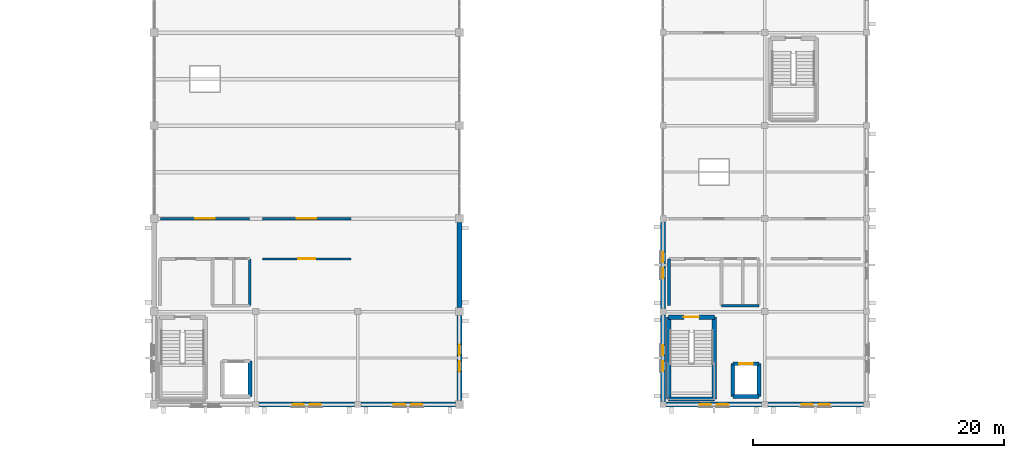
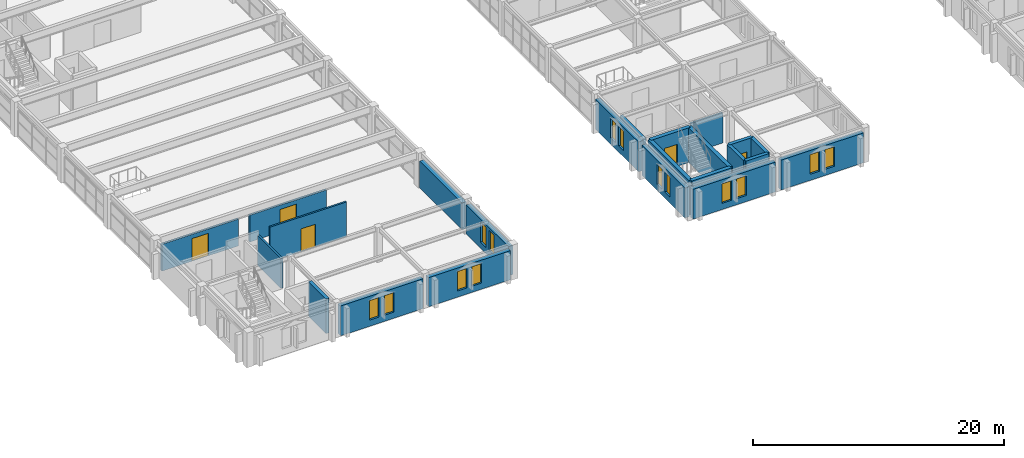
# One storey, part 81 of 93: 23 walls, 14 windows, 5 doors, 19 openings.
"""IFC4 building model written with IfcOpenShell, lengths in metres."""

from ifc_helpers import new_model, si_unit, direction, frame, frame_2d, origin, place, context, subcontext, project, spatial, rectangle, extrude, material, layer, layer_set, type_object, element, fill, save


model = new_model("IFC4")

# Units and contexts
model_context = context("Model", 3, precision=1e-05, world=origin(), true_north=direction((0.0, 1.0)))
body_context = subcontext(model_context, "Body", "Model", "MODEL_VIEW")
ifc_project = project(units=[si_unit("LENGTHUNIT", "METRE"), si_unit("AREAUNIT", "SQUARE_METRE"), si_unit("VOLUMEUNIT", "CUBIC_METRE"), si_unit("PLANEANGLEUNIT", "RADIAN"), si_unit("MASSUNIT", "GRAM", prefix="KILO")], contexts=[model_context])

# Site, building, storey
site_placement = place(None, origin())
site = spatial("IfcSite", under=ifc_project, at=site_placement, CompositionType="ELEMENT")
building_placement = place(site_placement, origin())
building = spatial("IfcBuilding", under=site, at=building_placement, Name="Cimatlan Art Gallery", CompositionType="ELEMENT")
storey_placement = place(building_placement, frame((0.0, 0.0, 13.800048828125)))
storey = spatial("IfcBuildingStorey", under=building, at=storey_placement, Name="L03", CompositionType="ELEMENT", Elevation=13.800048828125)

# Walls
ifc_material_1 = material(Name="Concrete C40/50", Category="concrete")
ifc_layer_1 = layer(ifc_material_1, 0.31005859375)
ifc_layer_set_1 = layer_set([ifc_layer_1], Name="Concrete C40/50")
wall_type_1 = type_object("IfcWallType", Name="W-CORE-310", PredefinedType="SHEAR", material=ifc_layer_set_1)
wall_1_placement = place(storey_placement, frame((82.550048828125, 24.550048828125, 0.0), z_axis=(0.0, 0.0, 1.0), x_axis=(0.0, 1.0, 0.0)))
element("IfcWall", 1, at=wall_1_placement, inside=storey, type_object=wall_type_1, Name="WL-SHFT-C3-L03-LE", PredefinedType="SHEAR", context=body_context, shape_type="SweptSolid", body=[
    extrude(rectangle(XDim=2.800048828125, YDim=0.31005859375, at=frame_2d((1.39990234375, 0.0))), origin(), (0.0, 0.0, 1.0), 3.375),
])
wall_2_placement = place(storey_placement, frame((120.949951171875, 24.550048828125, 0.0), z_axis=(0.0, 0.0, 1.0), x_axis=(0.0, 1.0, 0.0)))
element("IfcWall", 2, at=wall_2_placement, inside=storey, type_object=wall_type_1, Name="WL-SHFT-C4-L03-LW", PredefinedType="SHEAR", context=body_context, shape_type="SweptSolid", body=[
    extrude(rectangle(XDim=2.599853515625, YDim=0.31005859375, at=frame_2d((1.2998046875, 0.0))), origin(), (0.0, 0.0, 1.0), 3.375),
])
wall_3_placement = place(storey_placement, frame((120.949951171875, 24.550048828125, 0.0), z_axis=(0.0, 0.0, 1.0), x_axis=(1.0, 0.0, 0.0)))
element("IfcWall", 3, at=wall_3_placement, inside=storey, type_object=wall_type_1, Name="WL-SHFT-C4-L03-LS", PredefinedType="SHEAR", context=body_context, shape_type="SweptSolid", body=[
    extrude(rectangle(XDim=2.10009765625, YDim=0.31005859375, at=frame_2d((1.050048828125, 0.0))), origin(), (0.0, 0.0, 1.0), 3.375),
])
wall_4_placement = place(storey_placement, frame((123.050048828125, 24.550048828125, 0.0), z_axis=(0.0, 0.0, 1.0), x_axis=(0.0, 1.0, 0.0)))
element("IfcWall", 4, at=wall_4_placement, inside=storey, type_object=wall_type_1, Name="WL-SHFT-C4-L03-LE", PredefinedType="SHEAR", context=body_context, shape_type="SweptSolid", body=[
    extrude(rectangle(XDim=2.599853515625, YDim=0.31005859375, at=frame_2d((1.2998046875, 0.0))), origin(), (0.0, 0.0, 1.0), 3.375),
])

# Wall, opening, door
wall_5_placement = place(storey_placement, frame((120.949951171875, 27.14990234375, 0.0), z_axis=(0.0, 0.0, 1.0), x_axis=(1.0, 0.0, 0.0)))
wall_5 = element("IfcWall", 5, at=wall_5_placement, inside=storey, type_object=wall_type_1, Name="WL-SHFT-C4-L03-LN", PredefinedType="SHEAR", context=body_context, shape_type="SweptSolid", body=[
    extrude(rectangle(XDim=2.10009765625, YDim=0.31005859375, at=frame_2d((1.050048828125, 0.0))), origin(), (0.0, 0.0, 1.0), 3.375),
])
opening_1_placement = place(wall_5_placement, frame((0.5, 0.0, 0.0)))
opening_1 = element("IfcOpeningElement", 6, at=opening_1_placement, cuts=wall_5, Name="Opening LD-C4-L03", PredefinedType="OPENING", context=body_context, shape_type="SweptSolid", body=[
    extrude(rectangle(XDim=1.10009765625, YDim=2.14990234375, at=frame_2d((0.550048828125, 1.074951171875))), frame((0.0, 0.1650390625, 0.0), z_axis=(0.0, -1.0, 0.0), x_axis=(1.0, 0.0, 0.0)), (0.0, 0.0, 1.0), 0.330078125),
])
ifc_material_2 = material(Name="Brushed bronze sliding lift landing door")
door_type_1 = type_object("IfcDoorType", Name="LD-PS-1100", OperationType="NOTDEFINED", PredefinedType="DOOR", material=ifc_material_2)
door_1_placement = place(opening_1_placement, origin())
door_1 = element("IfcDoor", 7, at=door_1_placement, inside=storey, type_object=door_type_1, Name="LD-PL-01-L03", OperationType="SLIDING_TO_LEFT", OverallHeight=2.14990234375, OverallWidth=1.10009765625, PredefinedType="DOOR", context=body_context, shape_type="SweptSolid", body=[
    extrude(rectangle(XDim=1.10009765625, YDim=2.14990234375, at=frame_2d((0.550048828125, 1.074951171875))), frame((0.0, 0.02490234375, 0.0), z_axis=(0.0, -1.0, 0.0), x_axis=(1.0, 0.0, 0.0)), (0.0, 0.0, 1.0), 0.050048828125),
])
fill(opening_1, door_1)

# Walls
ifc_layer_2 = layer(ifc_material_1, 0.35009765625)
ifc_layer_set_2 = layer_set([ifc_layer_2], Name="Concrete C40/50")
wall_type_2 = type_object("IfcWallType", Name="W-CORE-350", PredefinedType="SHEAR", material=ifc_layer_set_2)
wall_6_placement = place(storey_placement, frame((115.840087890625, 24.340087890625, 0.0), z_axis=(0.0, 0.0, 1.0), x_axis=(0.0, 1.0, 0.0)))
element("IfcWall", 8, at=wall_6_placement, inside=storey, type_object=wall_type_2, Name="WL-CORE-C4-L03-SW", PredefinedType="SHEAR", context=body_context, shape_type="SweptSolid", body=[
    extrude(rectangle(XDim=6.52001953125, YDim=0.35009765625, at=frame_2d((3.260009765625, 0.0))), origin(), (0.0, 0.0, 1.0), 3.375),
])
wall_7_placement = place(storey_placement, frame((115.840087890625, 24.340087890625, 0.0), z_axis=(0.0, 0.0, 1.0), x_axis=(1.0, 0.0, 0.0)))
element("IfcWall", 9, at=wall_7_placement, inside=storey, type_object=wall_type_2, Name="WL-CORE-C4-L03-SS", PredefinedType="SHEAR", context=body_context, shape_type="SweptSolid", body=[
    extrude(rectangle(XDim=3.639892578125, YDim=0.35009765625, at=frame_2d((1.81982421875, 0.0))), origin(), (0.0, 0.0, 1.0), 3.375),
])
wall_8_placement = place(storey_placement, frame((119.47998046875, 24.340087890625, 0.0), z_axis=(0.0, 0.0, 1.0), x_axis=(0.0, 1.0, 0.0)))
element("IfcWall", 10, at=wall_8_placement, inside=storey, type_object=wall_type_2, Name="WL-CORE-C4-L03-SE", PredefinedType="SHEAR", context=body_context, shape_type="SweptSolid", body=[
    extrude(rectangle(XDim=6.52001953125, YDim=0.35009765625, at=frame_2d((3.260009765625, 0.0))), origin(), (0.0, 0.0, 1.0), 3.375),
])

# Wall, opening, door
wall_9_placement = place(storey_placement, frame((115.840087890625, 30.860107421875, 0.0), z_axis=(0.0, 0.0, 1.0), x_axis=(1.0, 0.0, 0.0)))
wall_9 = element("IfcWall", 11, at=wall_9_placement, inside=storey, type_object=wall_type_2, Name="WL-CORE-C4-L03-SN", PredefinedType="SHEAR", context=body_context, shape_type="SweptSolid", body=[
    extrude(rectangle(XDim=3.639892578125, YDim=0.35009765625, at=frame_2d((1.81982421875, 0.0))), origin(), (0.0, 0.0, 1.0), 3.375),
])
opening_2_placement = place(wall_9_placement, frame((1.219970703125, 0.0, 0.0)))
opening_2 = element("IfcOpeningElement", 12, at=opening_2_placement, cuts=wall_9, Name="Opening FD-C4-L03", PredefinedType="OPENING", context=body_context, shape_type="SweptSolid", body=[
    extrude(rectangle(XDim=1.199951171875, YDim=2.14990234375, at=frame_2d((0.60009765625, 1.074951171875))), frame((0.0, 0.18505859375, 0.0), z_axis=(0.0, -1.0, 0.0), x_axis=(1.0, 0.0, 0.0)), (0.0, 0.0, 1.0), 0.3701171875),
])
ifc_material_3 = material(Name="Fire-resisting steel acoustic stair door", Category="steel")
door_type_2 = type_object("IfcDoorType", Name="FD-ST-1200", OperationType="NOTDEFINED", PredefinedType="DOOR", material=ifc_material_3)
door_2_placement = place(opening_2_placement, origin())
door_2 = element("IfcDoor", 13, at=door_2_placement, inside=storey, type_object=door_type_2, Name="DR-C4-L03-ST", OperationType="SINGLE_SWING_LEFT", OverallHeight=2.14990234375, OverallWidth=1.199951171875, PredefinedType="DOOR", context=body_context, shape_type="SweptSolid", body=[
    extrude(rectangle(XDim=1.199951171875, YDim=2.14990234375, at=frame_2d((0.60009765625, 1.074951171875))), frame((0.0, 0.02490234375, 0.0), z_axis=(0.0, -1.0, 0.0), x_axis=(1.0, 0.0, 0.0)), (0.0, 0.0, 1.0), 0.050048828125),
])
fill(opening_2, door_2)

# Wall
ifc_material_4 = material(Name="Precast concrete C40/50", Category="concrete")
ifc_layer_3 = layer(ifc_material_4, 0.2451171875)
ifc_layer_set_3 = layer_set([ifc_layer_3], Name="Precast concrete C40/50")
wall_type_3 = type_object("IfcWallType", Name="W-FFL-245", PredefinedType="PARTITIONING", material=ifc_layer_set_3)
wall_10_placement = place(storey_placement, frame((115.8798828125, 31.780029296875, 0.0), z_axis=(0.0, 0.0, 1.0), x_axis=(0.0, 1.0, 0.0)))
element("IfcWall", 14, at=wall_10_placement, inside=storey, type_object=wall_type_3, Name="WL-LOB-C4-L03-W", PredefinedType="PARTITIONING", context=body_context, shape_type="SweptSolid", body=[
    extrude(rectangle(XDim=3.719970703125, YDim=0.2451171875, at=frame_2d((1.85986328125, 0.0))), origin(), (0.0, 0.0, 1.0), 2.912841796875),
])

# Wall, opening, door
ifc_material_5 = material(Name="Acoustic gypsum and steel stud partition", Category="steel")
ifc_layer_4 = layer(ifc_material_5, 0.205078125)
ifc_layer_set_4 = layer_set([ifc_layer_4], Name="Acoustic gypsum and steel stud partition")
wall_type_4 = type_object("IfcWallType", Name="W-GAL-205", PredefinedType="PARTITIONING", material=ifc_layer_set_4)
wall_11_placement = place(storey_placement, frame((83.52001953125, 38.699951171875, 0.0), z_axis=(0.0, 0.0, 1.0), x_axis=(1.0, 0.0, 0.0)))
wall_11 = element("IfcWall", 15, at=wall_11_placement, inside=storey, type_object=wall_type_4, Name="WL-RM-L03-GAL-C1", PredefinedType="PARTITIONING", context=body_context, shape_type="SweptSolid", body=[
    extrude(rectangle(XDim=7.06005859375, YDim=0.205078125, at=frame_2d((3.530029296875, 0.0))), origin(), (0.0, 0.0, 1.0), 2.60791015625),
])
opening_3_placement = place(wall_11_placement, frame((2.7548828125, 0.0, 0.0)))
opening_3 = element("IfcOpeningElement", 16, at=opening_3_placement, cuts=wall_11, Name="Opening DI-0250", PredefinedType="OPENING", context=body_context, shape_type="SweptSolid", body=[
    extrude(rectangle(XDim=1.550048828125, YDim=2.199951171875, at=frame_2d((0.77490234375, 1.10009765625))), frame((0.0, 0.112548828125, 0.0), z_axis=(0.0, -1.0, 0.0), x_axis=(1.0, 0.0, 0.0)), (0.0, 0.0, 1.0), 0.22509765625),
])
ifc_material_6 = material(Name="European oak upper gallery door")
door_type_3 = type_object("IfcDoorType", Name="DI-GL-1550", OperationType="NOTDEFINED", PredefinedType="DOOR", material=ifc_material_6)
door_3_placement = place(opening_3_placement, origin())
door_3 = element("IfcDoor", 17, at=door_3_placement, inside=storey, type_object=door_type_3, Name="DR-RM-L03-GAL-C1", OperationType="SINGLE_SWING_RIGHT", OverallHeight=2.199951171875, OverallWidth=1.550048828125, PredefinedType="DOOR", context=body_context, shape_type="SweptSolid", body=[
    extrude(rectangle(XDim=1.550048828125, YDim=2.199951171875, at=frame_2d((0.77490234375, 1.10009765625))), frame((0.0, 0.02490234375, 0.0), z_axis=(0.0, -1.0, 0.0), x_axis=(1.0, 0.0, 0.0)), (0.0, 0.0, 1.0), 0.050048828125),
])
fill(opening_3, door_3)

wall_12_placement = place(storey_placement, frame((75.419921875, 38.699951171875, 0.0), z_axis=(0.0, 0.0, 1.0), x_axis=(1.0, 0.0, 0.0)))
wall_12 = element("IfcWall", 18, at=wall_12_placement, inside=storey, type_object=wall_type_4, Name="WL-RM-L03-GAL-CW", PredefinedType="PARTITIONING", context=body_context, shape_type="SweptSolid", body=[
    extrude(rectangle(XDim=7.06005859375, YDim=0.205078125, at=frame_2d((3.530029296875, 0.0))), origin(), (0.0, 0.0, 1.0), 2.60791015625),
])
opening_4_placement = place(wall_12_placement, frame((2.7548828125, 0.0, 0.0)))
opening_4 = element("IfcOpeningElement", 19, at=opening_4_placement, cuts=wall_12, Name="Opening DI-0251", PredefinedType="OPENING", context=body_context, shape_type="SweptSolid", body=[
    extrude(rectangle(XDim=1.550048828125, YDim=2.199951171875, at=frame_2d((0.77490234375, 1.10009765625))), frame((0.0, 0.112548828125, 0.0), z_axis=(0.0, -1.0, 0.0), x_axis=(1.0, 0.0, 0.0)), (0.0, 0.0, 1.0), 0.22509765625),
])
door_4_placement = place(opening_4_placement, origin())
door_4 = element("IfcDoor", 20, at=door_4_placement, inside=storey, type_object=door_type_3, Name="DR-RM-L03-GAL-CW", OperationType="SINGLE_SWING_LEFT", OverallHeight=2.199951171875, OverallWidth=1.550048828125, PredefinedType="DOOR", context=body_context, shape_type="SweptSolid", body=[
    extrude(rectangle(XDim=1.550048828125, YDim=2.199951171875, at=frame_2d((0.77490234375, 1.10009765625))), frame((0.0, 0.02490234375, 0.0), z_axis=(0.0, -1.0, 0.0), x_axis=(1.0, 0.0, 0.0)), (0.0, 0.0, 1.0), 0.050048828125),
])
fill(opening_4, door_4)

ifc_layer_5 = layer(ifc_material_5, 0.159912109375)
ifc_layer_set_5 = layer_set([ifc_layer_5], Name="Acoustic gypsum and steel stud partition")
wall_type_5 = type_object("IfcWallType", Name="W-LRN-160", PredefinedType="PARTITIONING", material=ifc_layer_set_5)
wall_13_placement = place(storey_placement, frame((83.52001953125, 35.5, 0.0), z_axis=(0.0, 0.0, 1.0), x_axis=(1.0, 0.0, 0.0)))
wall_13 = element("IfcWall", 21, at=wall_13_placement, inside=storey, type_object=wall_type_5, Name="WL-RM-L03-LRN-01", PredefinedType="PARTITIONING", context=body_context, shape_type="SweptSolid", body=[
    extrude(rectangle(XDim=7.06005859375, YDim=0.159912109375, at=frame_2d((3.530029296875, 0.0))), origin(), (0.0, 0.0, 1.0), 3.364990234375),
])
opening_5_placement = place(wall_13_placement, frame((2.85498046875, 0.0, 0.0)))
opening_5 = element("IfcOpeningElement", 22, at=opening_5_placement, cuts=wall_13, Name="Opening DI-0249", PredefinedType="OPENING", context=body_context, shape_type="SweptSolid", body=[
    extrude(rectangle(XDim=1.35009765625, YDim=2.199951171875, at=frame_2d((0.675048828125, 1.10009765625))), frame((0.0, 0.08984375, 0.0), z_axis=(0.0, -1.0, 0.0), x_axis=(1.0, 0.0, 0.0)), (0.0, 0.0, 1.0), 0.179931640625),
])
ifc_material_7 = material(Name="Oak learning-centre workshop door")
door_type_4 = type_object("IfcDoorType", Name="DI-LN-1350", OperationType="NOTDEFINED", PredefinedType="DOOR", material=ifc_material_7)
door_5_placement = place(opening_5_placement, origin())
door_5 = element("IfcDoor", 23, at=door_5_placement, inside=storey, type_object=door_type_4, Name="DR-RM-L03-LRN-01", OperationType="SINGLE_SWING_LEFT", OverallHeight=2.199951171875, OverallWidth=1.35009765625, PredefinedType="DOOR", context=body_context, shape_type="SweptSolid", body=[
    extrude(rectangle(XDim=1.35009765625, YDim=2.199951171875, at=frame_2d((0.675048828125, 1.10009765625))), frame((0.0, 0.02490234375, 0.0), z_axis=(0.0, -1.0, 0.0), x_axis=(1.0, 0.0, 0.0)), (0.0, 0.0, 1.0), 0.050048828125),
])
fill(opening_5, door_5)

# Walls
ifc_material_8 = material(Name="Moisture-resistant fire-rated plumbing wall")
ifc_layer_6 = layer(ifc_material_8, 0.195068359375)
ifc_layer_set_6 = layer_set([ifc_layer_6], Name="Moisture-resistant fire-rated plumbing wall")
wall_type_6 = type_object("IfcWallType", Name="W-PLM-195", PredefinedType="PARTITIONING", material=ifc_layer_set_6)
wall_14_placement = place(storey_placement, frame((82.52001953125, 31.780029296875, 0.0), z_axis=(0.0, 0.0, 1.0), x_axis=(0.0, 1.0, 0.0)))
element("IfcWall", 24, at=wall_14_placement, inside=storey, type_object=wall_type_6, Name="WL-LOB-C3-L03-E", PredefinedType="PARTITIONING", context=body_context, shape_type="SweptSolid", body=[
    extrude(rectangle(XDim=3.719970703125, YDim=0.195068359375, at=frame_2d((1.85986328125, 0.0))), origin(), (0.0, 0.0, 1.0), 2.912841796875),
])
wall_15_placement = place(storey_placement, frame((120.050048828125, 31.780029296875, 0.0), z_axis=(0.0, 0.0, 1.0), x_axis=(1.0, 0.0, 0.0)))
element("IfcWall", 25, at=wall_15_placement, inside=storey, type_object=wall_type_6, Name="WL-LOB-C4-L03-S", PredefinedType="PARTITIONING", context=body_context, shape_type="SweptSolid", body=[
    extrude(rectangle(XDim=2.969970703125, YDim=0.195068359375, at=frame_2d((1.48486328125, 0.0))), origin(), (0.0, 0.0, 1.0), 2.912841796875),
])

# Wall, openings, windows
ifc_layer_7 = layer(ifc_material_4, 0.39990234375)
ifc_layer_set_7 = layer_set([ifc_layer_7], Name="Precast concrete C40/50")
wall_type_7 = type_object("IfcWallType", Name="WL-EXT-CAN-400", PredefinedType="SOLIDWALL", material=ifc_layer_set_7)
wall_16_placement = place(storey_placement, frame((90.845947265625, 23.89990234375, 0.0), z_axis=(0.0, 0.0, 1.0), x_axis=(-1.0, 0.0, 0.0)))
wall_16 = element("IfcWall", 26, at=wall_16_placement, inside=storey, type_object=wall_type_7, Name="WL-EXT-L03-10-03-S", PredefinedType="SOLIDWALL", context=body_context, shape_type="SweptSolid", body=[
    extrude(rectangle(XDim=7.592041015625, YDim=0.39990234375, at=frame_2d((3.7958984375, 0.0))), origin(), (0.0, 0.0, 1.0), 2.907958984375),
])
opening_6_placement = place(wall_16_placement, frame((2.676025390625, 0.0, 0.60009765625)))
opening_6 = element("IfcOpeningElement", 27, at=opening_6_placement, cuts=wall_16, Name="Opening WN-0257", PredefinedType="OPENING", context=body_context, shape_type="SweptSolid", body=[
    extrude(rectangle(XDim=0.8798828125, YDim=1.89990234375, at=frame_2d((0.43994140625, 0.949951171875))), frame((0.0, 0.2099609375, 0.0), z_axis=(0.0, -1.0, 0.0), x_axis=(1.0, 0.0, 0.0)), (0.0, 0.0, 1.0), 0.419921875),
])
opening_7_placement = place(wall_16_placement, frame((4.035888671875, 0.0, 0.60009765625)))
opening_7 = element("IfcOpeningElement", 28, at=opening_7_placement, cuts=wall_16, Name="Opening WN-0258", PredefinedType="OPENING", context=body_context, shape_type="SweptSolid", body=[
    extrude(rectangle(XDim=0.8798828125, YDim=1.89990234375, at=frame_2d((0.43994140625, 0.949951171875))), frame((0.0, 0.2099609375, 0.0), z_axis=(0.0, -1.0, 0.0), x_axis=(1.0, 0.0, 0.0)), (0.0, 0.0, 1.0), 0.419921875),
])
ifc_material_9 = material(Name="Low-E laminated double glazing in bronze lancet frame", Category="glass")
window_type_1 = type_object("IfcWindowType", Name="WIN-S-L03-0880X1900", PartitioningType="SINGLE_PANEL", PredefinedType="WINDOW", material=ifc_material_9)
window_1_placement = place(opening_6_placement, origin())
window_1 = element("IfcWindow", 29, at=window_1_placement, inside=storey, type_object=window_type_1, Name="WIN-0257", OverallHeight=1.89990234375, OverallWidth=0.8798828125, PartitioningType="SINGLE_PANEL", PredefinedType="WINDOW", context=body_context, shape_type="SweptSolid", body=[
    extrude(rectangle(XDim=0.8798828125, YDim=1.89990234375, at=frame_2d((0.43994140625, 0.949951171875))), frame((0.0, 0.030029296875, 0.0), z_axis=(0.0, -1.0, 0.0), x_axis=(1.0, 0.0, 0.0)), (0.0, 0.0, 1.0), 0.06005859375),
])
fill(opening_6, window_1)
window_2_placement = place(opening_7_placement, origin())
window_2 = element("IfcWindow", 30, at=window_2_placement, inside=storey, type_object=window_type_1, Name="WIN-0258", OverallHeight=1.89990234375, OverallWidth=0.8798828125, PartitioningType="SINGLE_PANEL", PredefinedType="WINDOW", context=body_context, shape_type="SweptSolid", body=[
    extrude(rectangle(XDim=0.8798828125, YDim=1.89990234375, at=frame_2d((0.43994140625, 0.949951171875))), frame((0.0, 0.030029296875, 0.0), z_axis=(0.0, -1.0, 0.0), x_axis=(1.0, 0.0, 0.0)), (0.0, 0.0, 1.0), 0.06005859375),
])
fill(opening_7, window_2)

wall_17_placement = place(storey_placement, frame((98.87109375, 23.89990234375, 0.0), z_axis=(0.0, 0.0, 1.0), x_axis=(-1.0, 0.0, 0.0)))
wall_17 = element("IfcWall", 31, at=wall_17_placement, inside=storey, type_object=wall_type_7, Name="WL-EXT-L03-11-03-S", PredefinedType="SOLIDWALL", context=body_context, shape_type="SweptSolid", body=[
    extrude(rectangle(XDim=7.51708984375, YDim=0.39990234375, at=frame_2d((3.758544921875, 0.0))), origin(), (0.0, 0.0, 1.0), 2.83203125),
])
opening_8_placement = place(wall_17_placement, frame((2.638427734375, 0.0, 0.60009765625)))
opening_8 = element("IfcOpeningElement", 32, at=opening_8_placement, cuts=wall_17, Name="Opening WN-0259", PredefinedType="OPENING", context=body_context, shape_type="SweptSolid", body=[
    extrude(rectangle(XDim=0.8798828125, YDim=1.89990234375, at=frame_2d((0.43994140625, 0.949951171875))), frame((0.0, 0.2099609375, 0.0), z_axis=(0.0, -1.0, 0.0), x_axis=(1.0, 0.0, 0.0)), (0.0, 0.0, 1.0), 0.419921875),
])
opening_9_placement = place(wall_17_placement, frame((3.99853515625, 0.0, 0.60009765625)))
opening_9 = element("IfcOpeningElement", 33, at=opening_9_placement, cuts=wall_17, Name="Opening WN-0260", PredefinedType="OPENING", context=body_context, shape_type="SweptSolid", body=[
    extrude(rectangle(XDim=0.8798828125, YDim=1.89990234375, at=frame_2d((0.43994140625, 0.949951171875))), frame((0.0, 0.2099609375, 0.0), z_axis=(0.0, -1.0, 0.0), x_axis=(1.0, 0.0, 0.0)), (0.0, 0.0, 1.0), 0.419921875),
])
window_3_placement = place(opening_8_placement, origin())
window_3 = element("IfcWindow", 34, at=window_3_placement, inside=storey, type_object=window_type_1, Name="WIN-0259", OverallHeight=1.89990234375, OverallWidth=0.8798828125, PartitioningType="SINGLE_PANEL", PredefinedType="WINDOW", context=body_context, shape_type="SweptSolid", body=[
    extrude(rectangle(XDim=0.8798828125, YDim=1.89990234375, at=frame_2d((0.43994140625, 0.949951171875))), frame((0.0, 0.030029296875, 0.0), z_axis=(0.0, -1.0, 0.0), x_axis=(1.0, 0.0, 0.0)), (0.0, 0.0, 1.0), 0.06005859375),
])
fill(opening_8, window_3)
window_4_placement = place(opening_9_placement, origin())
window_4 = element("IfcWindow", 35, at=window_4_placement, inside=storey, type_object=window_type_1, Name="WIN-0260", OverallHeight=1.89990234375, OverallWidth=0.8798828125, PartitioningType="SINGLE_PANEL", PredefinedType="WINDOW", context=body_context, shape_type="SweptSolid", body=[
    extrude(rectangle(XDim=0.8798828125, YDim=1.89990234375, at=frame_2d((0.43994140625, 0.949951171875))), frame((0.0, 0.030029296875, 0.0), z_axis=(0.0, -1.0, 0.0), x_axis=(1.0, 0.0, 0.0)), (0.0, 0.0, 1.0), 0.06005859375),
])
fill(opening_9, window_4)

wall_18_placement = place(storey_placement, frame((99.199951171875, 30.970947265625, 0.0), z_axis=(0.0, 0.0, 1.0), x_axis=(0.0, -1.0, 0.0)))
wall_18 = element("IfcWall", 36, at=wall_18_placement, inside=storey, type_object=wall_type_7, Name="WL-EXT-L03-11-03-E", PredefinedType="SOLIDWALL", context=body_context, shape_type="SweptSolid", body=[
    extrude(rectangle(XDim=6.741943359375, YDim=0.39990234375, at=frame_2d((3.37109375, 0.0))), origin(), (0.0, 0.0, 1.0), 2.83203125),
])
opening_10_placement = place(wall_18_placement, frame((2.291015625, 0.0, 0.60009765625)))
opening_10 = element("IfcOpeningElement", 37, at=opening_10_placement, cuts=wall_18, Name="Opening WN-0261", PredefinedType="OPENING", context=body_context, shape_type="SweptSolid", body=[
    extrude(rectangle(XDim=0.840087890625, YDim=1.9599609375, at=frame_2d((0.419921875, 0.97998046875))), frame((0.0, 0.2099609375, 0.0), z_axis=(0.0, -1.0, 0.0), x_axis=(1.0, 0.0, 0.0)), (0.0, 0.0, 1.0), 0.419921875),
])
opening_11_placement = place(wall_18_placement, frame((3.611083984375, 0.0, 0.60009765625)))
opening_11 = element("IfcOpeningElement", 38, at=opening_11_placement, cuts=wall_18, Name="Opening WN-0262", PredefinedType="OPENING", context=body_context, shape_type="SweptSolid", body=[
    extrude(rectangle(XDim=0.840087890625, YDim=1.9599609375, at=frame_2d((0.419921875, 0.97998046875))), frame((0.0, 0.2099609375, 0.0), z_axis=(0.0, -1.0, 0.0), x_axis=(1.0, 0.0, 0.0)), (0.0, 0.0, 1.0), 0.419921875),
])
window_type_2 = type_object("IfcWindowType", Name="WIN-E-L03-0840X1960", PartitioningType="SINGLE_PANEL", PredefinedType="WINDOW", material=ifc_material_9)
window_5_placement = place(opening_10_placement, origin())
window_5 = element("IfcWindow", 39, at=window_5_placement, inside=storey, type_object=window_type_2, Name="WIN-0261", OverallHeight=1.9599609375, OverallWidth=0.840087890625, PartitioningType="SINGLE_PANEL", PredefinedType="WINDOW", context=body_context, shape_type="SweptSolid", body=[
    extrude(rectangle(XDim=0.840087890625, YDim=1.9599609375, at=frame_2d((0.419921875, 0.97998046875))), frame((0.0, 0.030029296875, 0.0), z_axis=(0.0, -1.0, 0.0), x_axis=(1.0, 0.0, 0.0)), (0.0, 0.0, 1.0), 0.06005859375),
])
fill(opening_10, window_5)
window_6_placement = place(opening_11_placement, origin())
window_6 = element("IfcWindow", 40, at=window_6_placement, inside=storey, type_object=window_type_2, Name="WIN-0262", OverallHeight=1.9599609375, OverallWidth=0.840087890625, PartitioningType="SINGLE_PANEL", PredefinedType="WINDOW", context=body_context, shape_type="SweptSolid", body=[
    extrude(rectangle(XDim=0.840087890625, YDim=1.9599609375, at=frame_2d((0.419921875, 0.97998046875))), frame((0.0, 0.030029296875, 0.0), z_axis=(0.0, -1.0, 0.0), x_axis=(1.0, 0.0, 0.0)), (0.0, 0.0, 1.0), 0.06005859375),
])
fill(opening_11, window_6)

# Wall
wall_19_placement = place(storey_placement, frame((99.199951171875, 38.37109375, 0.0), z_axis=(0.0, 0.0, 1.0), x_axis=(0.0, -1.0, 0.0)))
element("IfcWall", 41, at=wall_19_placement, inside=storey, type_object=wall_type_7, Name="WL-EXT-L03-11-04-E", PredefinedType="SOLIDWALL", context=body_context, shape_type="SweptSolid", body=[
    extrude(rectangle(XDim=6.7421875, YDim=0.39990234375, at=frame_2d((3.37109375, 0.0))), origin(), (0.0, 0.0, 1.0), 2.60302734375),
])

# Wall, openings, windows
wall_20_placement = place(storey_placement, frame((123.24609375, 23.89990234375, 0.0), z_axis=(0.0, 0.0, 1.0), x_axis=(-1.0, 0.0, 0.0)))
wall_20 = element("IfcWall", 42, at=wall_20_placement, inside=storey, type_object=wall_type_7, Name="WL-EXT-L03-14-03-S", PredefinedType="SOLIDWALL", context=body_context, shape_type="SweptSolid", body=[
    extrude(rectangle(XDim=7.592041015625, YDim=0.39990234375, at=frame_2d((3.7958984375, 0.0))), origin(), (0.0, 0.0, 1.0), 2.907958984375),
])
opening_12_placement = place(wall_20_placement, frame((2.676025390625, 0.0, 0.60009765625)))
opening_12 = element("IfcOpeningElement", 43, at=opening_12_placement, cuts=wall_20, Name="Opening WN-0263", PredefinedType="OPENING", context=body_context, shape_type="SweptSolid", body=[
    extrude(rectangle(XDim=0.8798828125, YDim=1.89990234375, at=frame_2d((0.43994140625, 0.949951171875))), frame((0.0, 0.2099609375, 0.0), z_axis=(0.0, -1.0, 0.0), x_axis=(1.0, 0.0, 0.0)), (0.0, 0.0, 1.0), 0.419921875),
])
opening_13_placement = place(wall_20_placement, frame((4.035888671875, 0.0, 0.60009765625)))
opening_13 = element("IfcOpeningElement", 44, at=opening_13_placement, cuts=wall_20, Name="Opening WN-0264", PredefinedType="OPENING", context=body_context, shape_type="SweptSolid", body=[
    extrude(rectangle(XDim=0.8798828125, YDim=1.89990234375, at=frame_2d((0.43994140625, 0.949951171875))), frame((0.0, 0.2099609375, 0.0), z_axis=(0.0, -1.0, 0.0), x_axis=(1.0, 0.0, 0.0)), (0.0, 0.0, 1.0), 0.419921875),
])
window_7_placement = place(opening_12_placement, origin())
window_7 = element("IfcWindow", 45, at=window_7_placement, inside=storey, type_object=window_type_1, Name="WIN-0263", OverallHeight=1.89990234375, OverallWidth=0.8798828125, PartitioningType="SINGLE_PANEL", PredefinedType="WINDOW", context=body_context, shape_type="SweptSolid", body=[
    extrude(rectangle(XDim=0.8798828125, YDim=1.89990234375, at=frame_2d((0.43994140625, 0.949951171875))), frame((0.0, 0.030029296875, 0.0), z_axis=(0.0, -1.0, 0.0), x_axis=(1.0, 0.0, 0.0)), (0.0, 0.0, 1.0), 0.06005859375),
])
fill(opening_12, window_7)
window_8_placement = place(opening_13_placement, origin())
window_8 = element("IfcWindow", 46, at=window_8_placement, inside=storey, type_object=window_type_1, Name="WIN-0264", OverallHeight=1.89990234375, OverallWidth=0.8798828125, PartitioningType="SINGLE_PANEL", PredefinedType="WINDOW", context=body_context, shape_type="SweptSolid", body=[
    extrude(rectangle(XDim=0.8798828125, YDim=1.89990234375, at=frame_2d((0.43994140625, 0.949951171875))), frame((0.0, 0.030029296875, 0.0), z_axis=(0.0, -1.0, 0.0), x_axis=(1.0, 0.0, 0.0)), (0.0, 0.0, 1.0), 0.06005859375),
])
fill(opening_13, window_8)

wall_21_placement = place(storey_placement, frame((115.39990234375, 24.154052734375, 0.0), z_axis=(0.0, 0.0, 1.0), x_axis=(0.0, 1.0, 0.0)))
wall_21 = element("IfcWall", 47, at=wall_21_placement, inside=storey, type_object=wall_type_7, Name="WL-EXT-L03-14-03-W", PredefinedType="SOLIDWALL", context=body_context, shape_type="SweptSolid", body=[
    extrude(rectangle(XDim=6.891845703125, YDim=0.39990234375, at=frame_2d((3.44580078125, 0.0))), origin(), (0.0, 0.0, 1.0), 2.907958984375),
])
opening_14_placement = place(wall_21_placement, frame((2.406005859375, 0.0, 0.60009765625)))
opening_14 = element("IfcOpeningElement", 48, at=opening_14_placement, cuts=wall_21, Name="Opening WN-0265", PredefinedType="OPENING", context=body_context, shape_type="SweptSolid", body=[
    extrude(rectangle(XDim=0.800048828125, YDim=1.919921875, at=frame_2d((0.39990234375, 0.9599609375))), frame((0.0, 0.2099609375, 0.0), z_axis=(0.0, -1.0, 0.0), x_axis=(1.0, 0.0, 0.0)), (0.0, 0.0, 1.0), 0.419921875),
])
opening_15_placement = place(wall_21_placement, frame((3.68603515625, 0.0, 0.60009765625)))
opening_15 = element("IfcOpeningElement", 49, at=opening_15_placement, cuts=wall_21, Name="Opening WN-0266", PredefinedType="OPENING", context=body_context, shape_type="SweptSolid", body=[
    extrude(rectangle(XDim=0.800048828125, YDim=1.919921875, at=frame_2d((0.39990234375, 0.9599609375))), frame((0.0, 0.2099609375, 0.0), z_axis=(0.0, -1.0, 0.0), x_axis=(1.0, 0.0, 0.0)), (0.0, 0.0, 1.0), 0.419921875),
])
window_type_3 = type_object("IfcWindowType", Name="WIN-W-L03-0800X1920", PartitioningType="SINGLE_PANEL", PredefinedType="WINDOW", material=ifc_material_9)
window_9_placement = place(opening_14_placement, origin())
window_9 = element("IfcWindow", 50, at=window_9_placement, inside=storey, type_object=window_type_3, Name="WIN-0265", OverallHeight=1.919921875, OverallWidth=0.800048828125, PartitioningType="SINGLE_PANEL", PredefinedType="WINDOW", context=body_context, shape_type="SweptSolid", body=[
    extrude(rectangle(XDim=0.800048828125, YDim=1.919921875, at=frame_2d((0.39990234375, 0.9599609375))), frame((0.0, 0.030029296875, 0.0), z_axis=(0.0, -1.0, 0.0), x_axis=(1.0, 0.0, 0.0)), (0.0, 0.0, 1.0), 0.06005859375),
])
fill(opening_14, window_9)
window_10_placement = place(opening_15_placement, origin())
window_10 = element("IfcWindow", 51, at=window_10_placement, inside=storey, type_object=window_type_3, Name="WIN-0266", OverallHeight=1.919921875, OverallWidth=0.800048828125, PartitioningType="SINGLE_PANEL", PredefinedType="WINDOW", context=body_context, shape_type="SweptSolid", body=[
    extrude(rectangle(XDim=0.800048828125, YDim=1.919921875, at=frame_2d((0.39990234375, 0.9599609375))), frame((0.0, 0.030029296875, 0.0), z_axis=(0.0, -1.0, 0.0), x_axis=(1.0, 0.0, 0.0)), (0.0, 0.0, 1.0), 0.06005859375),
])
fill(opening_15, window_10)

wall_22_placement = place(storey_placement, frame((115.39990234375, 31.553955078125, 0.0), z_axis=(0.0, 0.0, 1.0), x_axis=(0.0, 1.0, 0.0)))
wall_22 = element("IfcWall", 52, at=wall_22_placement, inside=storey, type_object=wall_type_7, Name="WL-EXT-L03-14-04-W", PredefinedType="SOLIDWALL", context=body_context, shape_type="SweptSolid", body=[
    extrude(rectangle(XDim=6.89208984375, YDim=0.39990234375, at=frame_2d((3.446044921875, 0.0))), origin(), (0.0, 0.0, 1.0), 2.907958984375),
])
opening_16_placement = place(wall_22_placement, frame((2.406005859375, 0.0, 0.60009765625)))
opening_16 = element("IfcOpeningElement", 53, at=opening_16_placement, cuts=wall_22, Name="Opening WN-0267", PredefinedType="OPENING", context=body_context, shape_type="SweptSolid", body=[
    extrude(rectangle(XDim=0.800048828125, YDim=1.919921875, at=frame_2d((0.39990234375, 0.9599609375))), frame((0.0, 0.2099609375, 0.0), z_axis=(0.0, -1.0, 0.0), x_axis=(1.0, 0.0, 0.0)), (0.0, 0.0, 1.0), 0.419921875),
])
opening_17_placement = place(wall_22_placement, frame((3.68603515625, 0.0, 0.60009765625)))
opening_17 = element("IfcOpeningElement", 54, at=opening_17_placement, cuts=wall_22, Name="Opening WN-0268", PredefinedType="OPENING", context=body_context, shape_type="SweptSolid", body=[
    extrude(rectangle(XDim=0.800048828125, YDim=1.919921875, at=frame_2d((0.39990234375, 0.9599609375))), frame((0.0, 0.2099609375, 0.0), z_axis=(0.0, -1.0, 0.0), x_axis=(1.0, 0.0, 0.0)), (0.0, 0.0, 1.0), 0.419921875),
])
window_11_placement = place(opening_16_placement, origin())
window_11 = element("IfcWindow", 55, at=window_11_placement, inside=storey, type_object=window_type_3, Name="WIN-0267", OverallHeight=1.919921875, OverallWidth=0.800048828125, PartitioningType="SINGLE_PANEL", PredefinedType="WINDOW", context=body_context, shape_type="SweptSolid", body=[
    extrude(rectangle(XDim=0.800048828125, YDim=1.919921875, at=frame_2d((0.39990234375, 0.9599609375))), frame((0.0, 0.030029296875, 0.0), z_axis=(0.0, -1.0, 0.0), x_axis=(1.0, 0.0, 0.0)), (0.0, 0.0, 1.0), 0.06005859375),
])
fill(opening_16, window_11)
window_12_placement = place(opening_17_placement, origin())
window_12 = element("IfcWindow", 56, at=window_12_placement, inside=storey, type_object=window_type_3, Name="WIN-0268", OverallHeight=1.919921875, OverallWidth=0.800048828125, PartitioningType="SINGLE_PANEL", PredefinedType="WINDOW", context=body_context, shape_type="SweptSolid", body=[
    extrude(rectangle(XDim=0.800048828125, YDim=1.919921875, at=frame_2d((0.39990234375, 0.9599609375))), frame((0.0, 0.030029296875, 0.0), z_axis=(0.0, -1.0, 0.0), x_axis=(1.0, 0.0, 0.0)), (0.0, 0.0, 1.0), 0.06005859375),
])
fill(opening_17, window_12)

wall_23_placement = place(storey_placement, frame((131.345947265625, 23.89990234375, 0.0), z_axis=(0.0, 0.0, 1.0), x_axis=(-1.0, 0.0, 0.0)))
wall_23 = element("IfcWall", 57, at=wall_23_placement, inside=storey, type_object=wall_type_7, Name="WL-EXT-L03-15-03-S", PredefinedType="SOLIDWALL", context=body_context, shape_type="SweptSolid", body=[
    extrude(rectangle(XDim=7.592041015625, YDim=0.39990234375, at=frame_2d((3.7958984375, 0.0))), origin(), (0.0, 0.0, 1.0), 2.907958984375),
])
opening_18_placement = place(wall_23_placement, frame((2.676025390625, 0.0, 0.60009765625)))
opening_18 = element("IfcOpeningElement", 58, at=opening_18_placement, cuts=wall_23, Name="Opening WN-0271", PredefinedType="OPENING", context=body_context, shape_type="SweptSolid", body=[
    extrude(rectangle(XDim=0.8798828125, YDim=1.89990234375, at=frame_2d((0.43994140625, 0.949951171875))), frame((0.0, 0.2099609375, 0.0), z_axis=(0.0, -1.0, 0.0), x_axis=(1.0, 0.0, 0.0)), (0.0, 0.0, 1.0), 0.419921875),
])
opening_19_placement = place(wall_23_placement, frame((4.035888671875, 0.0, 0.60009765625)))
opening_19 = element("IfcOpeningElement", 59, at=opening_19_placement, cuts=wall_23, Name="Opening WN-0272", PredefinedType="OPENING", context=body_context, shape_type="SweptSolid", body=[
    extrude(rectangle(XDim=0.8798828125, YDim=1.89990234375, at=frame_2d((0.43994140625, 0.949951171875))), frame((0.0, 0.2099609375, 0.0), z_axis=(0.0, -1.0, 0.0), x_axis=(1.0, 0.0, 0.0)), (0.0, 0.0, 1.0), 0.419921875),
])
window_13_placement = place(opening_18_placement, origin())
window_13 = element("IfcWindow", 60, at=window_13_placement, inside=storey, type_object=window_type_1, Name="WIN-0271", OverallHeight=1.89990234375, OverallWidth=0.8798828125, PartitioningType="SINGLE_PANEL", PredefinedType="WINDOW", context=body_context, shape_type="SweptSolid", body=[
    extrude(rectangle(XDim=0.8798828125, YDim=1.89990234375, at=frame_2d((0.43994140625, 0.949951171875))), frame((0.0, 0.030029296875, 0.0), z_axis=(0.0, -1.0, 0.0), x_axis=(1.0, 0.0, 0.0)), (0.0, 0.0, 1.0), 0.06005859375),
])
fill(opening_18, window_13)
window_14_placement = place(opening_19_placement, origin())
window_14 = element("IfcWindow", 61, at=window_14_placement, inside=storey, type_object=window_type_1, Name="WIN-0272", OverallHeight=1.89990234375, OverallWidth=0.8798828125, PartitioningType="SINGLE_PANEL", PredefinedType="WINDOW", context=body_context, shape_type="SweptSolid", body=[
    extrude(rectangle(XDim=0.8798828125, YDim=1.89990234375, at=frame_2d((0.43994140625, 0.949951171875))), frame((0.0, 0.030029296875, 0.0), z_axis=(0.0, -1.0, 0.0), x_axis=(1.0, 0.0, 0.0)), (0.0, 0.0, 1.0), 0.06005859375),
])
fill(opening_19, window_14)

save(model, "model.ifc")
